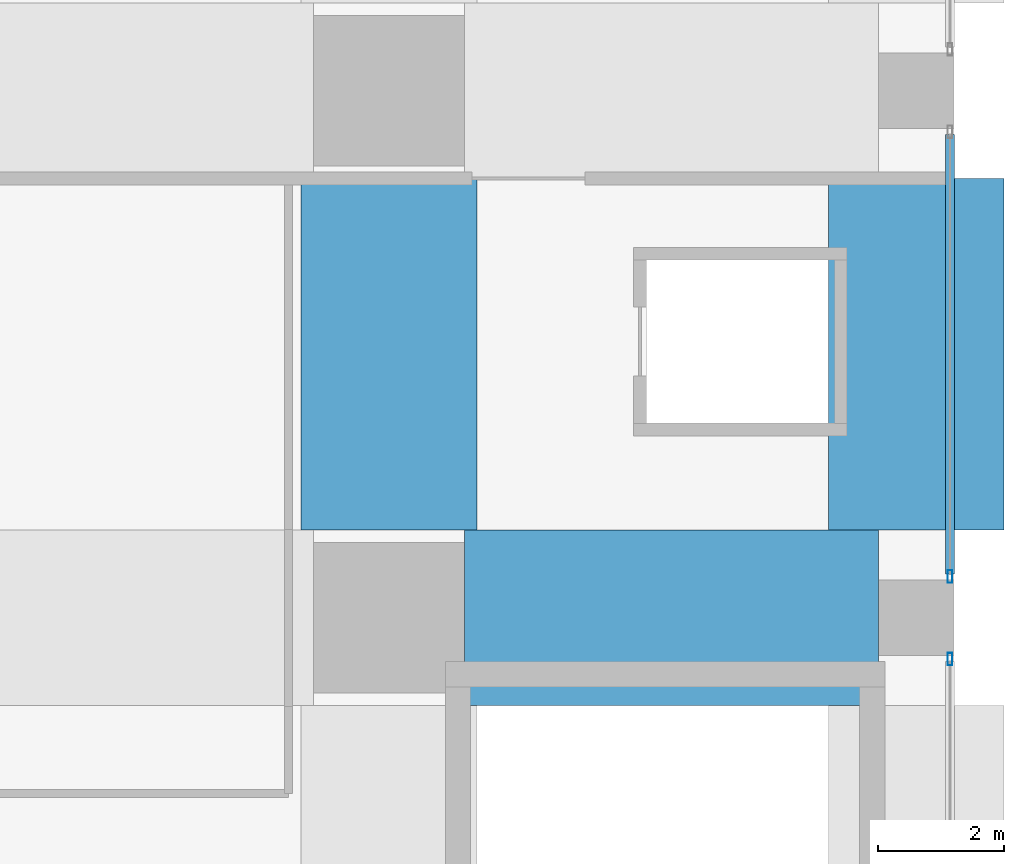
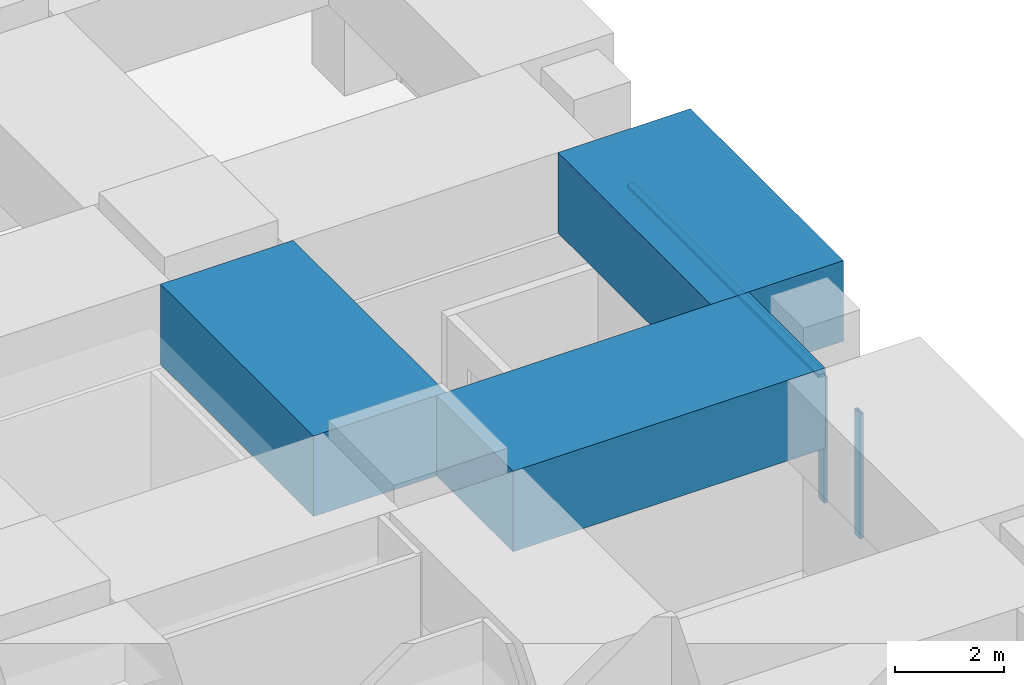
# One storey, part 34 of 52: 3 beams, 3 members, 2 elements without a shape of their own.
"""IFC4 building model written with IfcOpenShell, lengths in metres."""

from ifc_helpers import new_model, si_unit, direction, frame, origin, origin_2d, place, context, subcontext, project, spatial, rectangle, hollow_rectangle, extrude, material, material_profile, profile_set, type_object, element, aggregate, save


model = new_model("IFC4")

# Units and contexts
model_context = context("Model", 3, precision=1e-05, world=origin(), true_north=direction((0.0, 1.0)))
body_context = subcontext(model_context, "Body", "Model", "MODEL_VIEW")
ifc_project = project(units=[si_unit("LENGTHUNIT", "METRE"), si_unit("AREAUNIT", "SQUARE_METRE"), si_unit("VOLUMEUNIT", "CUBIC_METRE"), si_unit("PLANEANGLEUNIT", "RADIAN"), si_unit("MASSUNIT", "GRAM", prefix="KILO")], contexts=[model_context])

# Site, building, storey
site_placement = place(None, origin())
site = spatial("IfcSite", under=ifc_project, at=site_placement, CompositionType="ELEMENT")
building_placement = place(site_placement, origin())
building = spatial("IfcBuilding", under=site, at=building_placement, Name="Rekha Terrace Tower", CompositionType="ELEMENT")
storey_placement = place(building_placement, frame((0.0, 0.0, 20.39990234375)))
storey = spatial("IfcBuildingStorey", under=building, at=storey_placement, Name="L04", CompositionType="ELEMENT", Elevation=20.39990234375)

# Curtain wall, member
ifc_material_1 = material(Name="Aluminium framing", Category="aluminium")
curtain_wall_type = type_object("IfcCurtainWallType", Name="CW4 podium shopfront glazing", PredefinedType="USERDEFINED", material=ifc_material_1)
curtain_wall_1_placement = place(storey_placement, origin())
curtain_wall_1 = element("IfcCurtainWall", 1, at=curtain_wall_1_placement, inside=storey, type_object=curtain_wall_type, Name="CW4 shopfront curtain wall", ObjectType="SHOPFRONT CURTAIN WALL", PredefinedType="USERDEFINED")
ifc_material_2 = material(Name="Aluminium mullion section", Category="aluminium")
ifc_material_profile_1 = material_profile(ifc_material_2, hollow_rectangle(XDim=0.074951171875, YDim=0.199951171875, WallThickness=0.00390625, at=origin_2d()), Name="AL RHS 75x200")
ifc_profile_set_1 = profile_set([ifc_material_profile_1], Name="Aluminium mullion section")
member_type_1 = type_object("IfcMemberType", Name="CW4 mullion RHS 75 x 200", PredefinedType="MULLION", material=ifc_profile_set_1)
member_1_placement = place(storey_placement, frame((76.139892578125, 32.9423828125, 0.0), z_axis=(0.0, 0.0, 1.0), x_axis=(-1.0, 0.0, 0.0)))
member_1 = element("IfcMember", 2, at=member_1_placement, type_object=member_type_1, Name="CW4 mullion 2", PredefinedType="MULLION", context=body_context, shape_type="SweptSolid", body=[
    extrude(hollow_rectangle(XDim=0.074951171875, YDim=0.199951171875, WallThickness=0.00390625, at=origin_2d()), origin(), (0.0, 0.0, 1.0), 2.800048828125),
])
aggregate(curtain_wall_1, [member_1])

# Curtain wall, members
curtain_wall_2_placement = place(storey_placement, origin())
curtain_wall_2 = element("IfcCurtainWall", 3, at=curtain_wall_2_placement, inside=storey, type_object=curtain_wall_type, Name="CW4 shopfront curtain wall", ObjectType="SHOPFRONT CURTAIN WALL", PredefinedType="USERDEFINED")
member_2_placement = place(storey_placement, frame((76.139892578125, 34.257568359375, 0.0), z_axis=(0.0, 0.0, 1.0), x_axis=(-1.0, 0.0, 0.0)))
member_2 = element("IfcMember", 4, at=member_2_placement, type_object=member_type_1, Name="CW4 mullion 1", PredefinedType="MULLION", context=body_context, shape_type="SweptSolid", body=[
    extrude(hollow_rectangle(XDim=0.074951171875, YDim=0.199951171875, WallThickness=0.00390625, at=origin_2d()), origin(), (0.0, 0.0, 1.0), 2.800048828125),
])
ifc_material_3 = material(Name="Aluminium transom section", Category="aluminium")
ifc_material_profile_2 = material_profile(ifc_material_3, hollow_rectangle(XDim=0.14990234375, YDim=0.074951171875, WallThickness=0.0029296875, at=origin_2d()), Name="AL RHS 150x75")
ifc_profile_set_2 = profile_set([ifc_material_profile_2], Name="Aluminium transom section")
member_type_2 = type_object("IfcMemberType", Name="CW4 transom RHS 75 x 150", PredefinedType="USERDEFINED", material=ifc_profile_set_2)
member_3_placement = place(storey_placement, frame((76.139892578125, 34.294921875, 2.7626953125), z_axis=(0.0, 1.0, 0.0), x_axis=(-1.0, 0.0, 0.0)))
member_3 = element("IfcMember", 5, at=member_3_placement, type_object=member_type_2, Name="CW4 transom 1.2", ObjectType="TRANSOM", PredefinedType="USERDEFINED", context=body_context, shape_type="SweptSolid", body=[
    extrude(hollow_rectangle(XDim=0.14990234375, YDim=0.074951171875, WallThickness=0.0029296875, at=origin_2d()), origin(), (0.0, 0.0, 1.0), 7.010009765625),
])
aggregate(curtain_wall_2, [member_2, member_3])

# Beams
ifc_material_4 = material(Name="Concrete M70", Category="concrete")
ifc_material_profile_3 = material_profile(ifc_material_4, rectangle(XDim=2.800048828125, YDim=1.800048828125, at=origin_2d()), Name="RC 2800x1800")
ifc_profile_set_3 = profile_set([ifc_material_profile_3], Name="Concrete M70")
beam_type = type_object("IfcBeamType", Name="G2 2800x1800 podium roof band beam", PredefinedType="BEAM", material=ifc_profile_set_3)
beam_placement = place(storey_placement, frame((68.39990234375, 33.60009765625, 3.7001953125), z_axis=(1.0, 0.0, 0.0), x_axis=(0.0, 1.0, 0.0)))
element("IfcBeam", 6, at=beam_placement, inside=storey, type_object=beam_type, Name="Beam G2 9E-10E under L05", PredefinedType="BEAM", context=body_context, shape_type="SweptSolid", body=[
    extrude(rectangle(XDim=2.800048828125, YDim=1.800048828125, at=origin_2d()), origin(), (0.0, 0.0, 1.0), 6.60009765625),
])
for number, where, z_axis, x_axis, name in (
    (7, (67.199951171875, 35.0, 3.7001953125), (0.0, 1.0, 0.0), (-1.0, 0.0, 0.0), "Beam G2 9E-9F under L05"),
    (8, (75.60009765625, 35.0, 3.7001953125), (0.0, 1.0, 0.0), (-1.0, 0.0, 0.0), "Beam G2 10E-10F under L05"),
):
    element("IfcBeam", number, at=place(storey_placement, frame(where, z_axis=z_axis, x_axis=x_axis)), inside=storey, type_object=beam_type, Name=name, PredefinedType="BEAM", context=body_context, shape_type="SweptSolid", body=[
        extrude(rectangle(XDim=2.800048828125, YDim=1.800048828125, at=origin_2d()), origin(), (0.0, 0.0, 1.0), 5.60009765625),
    ])

save(model, "model.ifc")
